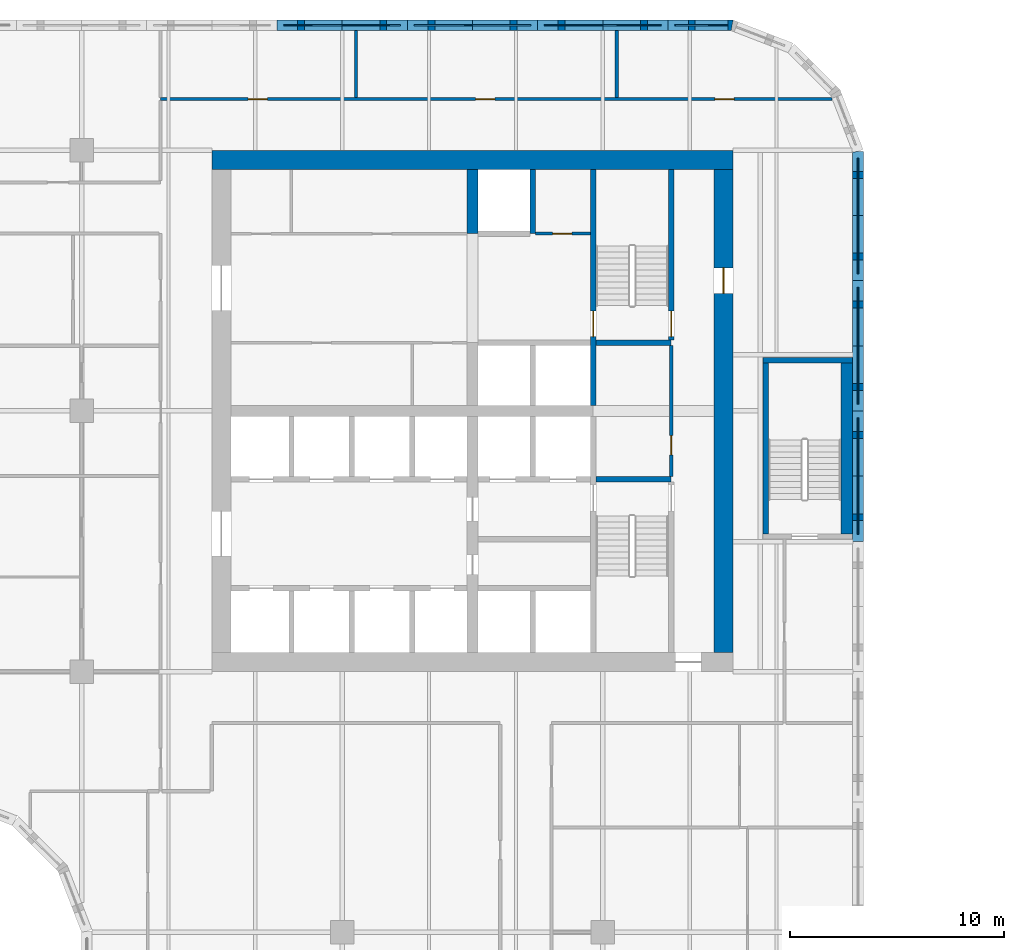
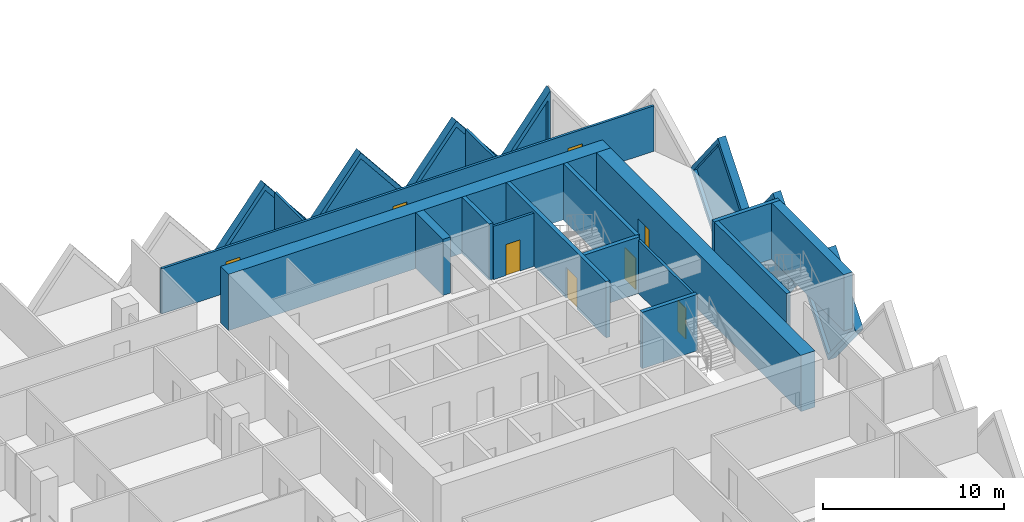
# One storey, part 10 of 20: 23 walls, 8 doors, 7 plates, 15 openings.
"""IFC4 building model written with IfcOpenShell, lengths in metres."""

import ifcopenshell
import ifcopenshell.guid

model = None  # the IFC model being written
_history = None  # IfcOwnerHistory: only IFC2X3 demands one
_inside = {}  # id of a spatial element -> (the spatial element, [elements in it])
_under = {}  # id of a project, library or spatial element -> (it, [spatial elements below it])
_declared = {}  # id of a project -> (the project, [libraries it declares])
_typed = {}  # id of a type object -> (the type object, [elements of that type])
_made_of = {}  # id of a material, layer set ... -> (it, [elements and type objects made of it])


def new_model(schema):
    """Start an empty IFC model of exactly this schema.

    Asked for "IFC4X3", IfcOpenShell would pick the latest addendum, in which some entities
    have other attributes; the version numbers below select the first issue.
    IFC2X3 requires an IfcOwnerHistory on every rooted entity: one is made here for all.
    """
    global model, _history
    if schema == "IFC4X3":
        model = ifcopenshell.file(schema_version=(4, 3, 0, 0))
    else:
        model = ifcopenshell.file(schema=schema)
    _inside.clear()
    _under.clear()
    _declared.clear()
    _typed.clear()
    _made_of.clear()
    _history = None
    if model.schema == "IFC2X3":
        org = make("IfcOrganization", Name="unknown")
        user = make(
            "IfcPersonAndOrganization",
            ThePerson=make("IfcPerson", FamilyName="unknown"),
            TheOrganization=org,
        )
        app = make(
            "IfcApplication",
            ApplicationDeveloper=org,
            Version="unknown",
            ApplicationFullName="unknown",
            ApplicationIdentifier="unknown",
        )
        _history = make(
            "IfcOwnerHistory",
            OwningUser=user,
            OwningApplication=app,
            ChangeAction="ADDED",
            CreationDate=0,
        )
    return model


def make(cls, **values):
    """One entity of the class cls with the attributes given. An attribute that is None is left unset."""
    return model.create_entity(
        cls, **{name: value for name, value in values.items() if value is not None}
    )


def rooted(cls, **values):
    """An entity with a GlobalId (a new one), such as an element, a storey or a relation."""
    return make(cls, GlobalId=ifcopenshell.guid.new(), OwnerHistory=_history, **values)


def si_unit(unit_type, name, prefix=None):
    """IfcSIUnit, for example si_unit("LENGTHUNIT", "METRE", prefix="MILLI")."""
    return make("IfcSIUnit", UnitType=unit_type, Prefix=prefix, Name=name)


def assignment(units):
    """IfcUnitAssignment: the units of a project."""
    return None if units is None else make("IfcUnitAssignment", Units=units)


def point(xyz):
    """IfcCartesianPoint."""
    return None if xyz is None else make("IfcCartesianPoint", Coordinates=xyz)


def direction(xyz):
    """IfcDirection."""
    return None if xyz is None else make("IfcDirection", DirectionRatios=xyz)


def frame(location, z_axis=None, x_axis=None):
    """IfcAxis2Placement3D, a coordinate frame: its origin and axes. An axis left out is left unset."""
    return make(
        "IfcAxis2Placement3D",
        Location=point(location),
        Axis=direction(z_axis),
        RefDirection=direction(x_axis),
    )


def frame_2d(location, x_axis=None):
    """IfcAxis2Placement2D, a coordinate frame in the plane: its origin and x axis."""
    return make(
        "IfcAxis2Placement2D", Location=point(location), RefDirection=direction(x_axis)
    )


def origin():
    """The frame at (0, 0, 0) with its axes left unset."""
    return frame((0.0, 0.0, 0.0))


def place(relative_to, where):
    """IfcLocalPlacement: puts the frame where relative to a parent placement (None: the world)."""
    return make(
        "IfcLocalPlacement", PlacementRelTo=relative_to, RelativePlacement=where
    )


def context(
    kind, dimensions, precision=None, world=None, true_north=None, identifier=None
):
    """IfcGeometricRepresentationContext, for example the 3D "Model" context."""
    return make(
        "IfcGeometricRepresentationContext",
        ContextIdentifier=identifier,
        ContextType=kind,
        CoordinateSpaceDimension=dimensions,
        Precision=precision,
        WorldCoordinateSystem=world,
        TrueNorth=true_north,
    )


def subcontext(parent, identifier, kind, view, scale=None):
    """IfcGeometricRepresentationSubContext, for example "Body" below "Model"."""
    return make(
        "IfcGeometricRepresentationSubContext",
        ContextIdentifier=identifier,
        ContextType=kind,
        ParentContext=parent,
        TargetScale=scale,
        TargetView=view,
    )


def project(units=None, contexts=None):
    """IfcProject with its units and contexts."""
    return rooted(
        "IfcProject",
        Name="project",
        RepresentationContexts=contexts,
        UnitsInContext=assignment(units),
    )


def spatial(cls, under=None, at=None, **own):
    """A site, building, storey or space (cls), placed at a placement, below another one or the project."""
    s = rooted(cls, ObjectPlacement=at, **own)
    if under is not None:
        _under.setdefault(under.id(), (under, []))[1].append(s)
    return s


def polyline(points):
    """IfcPolyline through the points."""
    return make("IfcPolyline", Points=[point(p) for p in points])


def profile(cls, at=None, kind="AREA", **sizes):
    """A parametric profile (cls). Its sizes go by their IFC names, for example OverallWidth=200.0."""
    return make(cls, ProfileType=kind, Position=at, **sizes)


def rectangle(**sizes):
    """IfcRectangleProfileDef."""
    return profile("IfcRectangleProfileDef", **sizes)


def outline(outer, holes=None, kind="AREA"):
    """IfcArbitraryClosedProfileDef: a profile drawn as a closed curve; with holes, ...WithVoids."""
    if holes is None:
        return make("IfcArbitraryClosedProfileDef", ProfileType=kind, OuterCurve=outer)
    return make(
        "IfcArbitraryProfileDefWithVoids",
        ProfileType=kind,
        OuterCurve=outer,
        InnerCurves=holes,
    )


def extrude(swept, where, along, depth):
    """IfcExtrudedAreaSolid: the profile swept, set in the frame where, extruded along a direction by depth."""
    return make(
        "IfcExtrudedAreaSolid",
        SweptArea=swept,
        Position=where,
        ExtrudedDirection=direction(along),
        Depth=depth,
    )


def faces_of(points, faces, orient=None, outer=None):
    """IfcFace entities. A face is a list of loops; a loop is a list of indices into points, from 0.

    orient and outer hold one flag for each loop. By default every Orientation is true, the
    first loop of a face is its IfcFaceOuterBound and the others are IfcFaceBound.
    """
    made = []
    for i, loops in enumerate(faces):
        bounds = []
        for j, loop in enumerate(loops):
            is_outer = j == 0 if outer is None else outer[i][j]
            bounds.append(
                make(
                    "IfcFaceOuterBound" if is_outer else "IfcFaceBound",
                    Bound=make("IfcPolyLoop", Polygon=[points[k] for k in loop]),
                    Orientation=True if orient is None else orient[i][j],
                )
            )
        made.append(make("IfcFace", Bounds=bounds))
    return made


def faceted_brep(points, faces, orient=None, outer=None, voids=None):
    """IfcFacetedBrep: a solid bounded by flat faces; with voids (closed shells), ...WithVoids."""
    shared = [point(p) for p in points]
    hull = make("IfcClosedShell", CfsFaces=faces_of(shared, faces, orient, outer))
    if voids is None:
        return make("IfcFacetedBrep", Outer=hull)
    return make(
        "IfcFacetedBrepWithVoids",
        Outer=hull,
        Voids=[
            make(cls, CfsFaces=faces_of(shared, fs, o, b)) for cls, fs, o, b in voids
        ],
    )


def shape(context_of_items, identifier, shape_type, items):
    """IfcShapeRepresentation: the items that make up one representation, for example the "Body"."""
    return make(
        "IfcShapeRepresentation",
        ContextOfItems=context_of_items,
        RepresentationIdentifier=identifier,
        RepresentationType=shape_type,
        Items=items,
    )


def source(mapping_origin, context_of_items, identifier, shape_type, items):
    """IfcRepresentationMap: a shape defined once, which mapped items show again and again."""
    return make(
        "IfcRepresentationMap",
        MappingOrigin=mapping_origin,
        MappedRepresentation=shape(context_of_items, identifier, shape_type, items),
    )


def transform(
    local_origin,
    x_axis=None,
    y_axis=None,
    z_axis=None,
    scale=None,
    scale2=None,
    scale3=None,
    uniform=True,
):
    """IfcCartesianTransformationOperator3D, or its non-uniform kind. x_axis, y_axis, z_axis: its Axis1, 2, 3."""
    if uniform:
        return make(
            "IfcCartesianTransformationOperator3D",
            Axis1=direction(x_axis),
            Axis2=direction(y_axis),
            LocalOrigin=point(local_origin),
            Scale=scale,
            Axis3=direction(z_axis),
        )
    return make(
        "IfcCartesianTransformationOperator3DnonUniform",
        Axis1=direction(x_axis),
        Axis2=direction(y_axis),
        LocalOrigin=point(local_origin),
        Scale=scale,
        Axis3=direction(z_axis),
        Scale2=scale2,
        Scale3=scale3,
    )


def mapped(mapping_source, mapping_target):
    """IfcMappedItem: shows the shape of a source again, moved by a transform."""
    return make(
        "IfcMappedItem", MappingSource=mapping_source, MappingTarget=mapping_target
    )


def material(Name=None, Category=None):
    """IfcMaterial."""
    return make("IfcMaterial", Name=Name, Category=Category)


def layer(
    of_material, thickness, ventilated=None, Name=None, Category=None, Priority=None
):
    """IfcMaterialLayer: one layer of a wall or slab, of a material (None: an air gap)."""
    return make(
        "IfcMaterialLayer",
        Material=of_material,
        LayerThickness=thickness,
        IsVentilated=ventilated,
        Name=Name,
        Category=Category,
        Priority=Priority,
    )


def layer_set(layers, Name=None):
    """IfcMaterialLayerSet."""
    return make("IfcMaterialLayerSet", MaterialLayers=layers, LayerSetName=Name)


def made_of(thing, what):
    """Note that an element or type object is made of a material, layer set ...; save() writes the relation."""
    if what is not None:
        _made_of.setdefault(what.id(), (what, []))[1].append(thing)
    return thing


def type_object(cls, material=None, **own):
    """A type object (cls), such as IfcWallType, which elements share."""
    return made_of(rooted(cls, **own), material)


def element(
    cls,
    number,
    at=None,
    inside=None,
    cuts=None,
    type_object=None,
    material=None,
    context=None,
    identifier="Body",
    shape_type=None,
    held_by="IfcProductDefinitionShape",
    body=None,
    shapes=None,
    **own,
):
    """One element of the class cls, such as IfcWall. Its Tag is "e" and its number.

    at: its placement. inside: the storey or other place that contains it. cuts: it is an
    opening in that element (IfcRelVoidsElement). A single representation is given by context,
    identifier, shape_type and body (its items); several are given by shapes. held_by: the class
    of the entity that holds the representations. save() writes the other relations.
    """
    e = rooted(cls, Tag="e%d" % number, ObjectPlacement=at, **own)
    if body is not None:
        shapes = [shape(context, identifier, shape_type, body)]
    if shapes is not None:
        e.Representation = make(held_by, Representations=shapes)
    if inside is not None:
        _inside.setdefault(inside.id(), (inside, []))[1].append(e)
    if cuts is not None:
        rooted(
            "IfcRelVoidsElement", RelatingBuildingElement=cuts, RelatedOpeningElement=e
        )
    if type_object is not None:
        _typed.setdefault(type_object.id(), (type_object, []))[1].append(e)
    return made_of(e, material)


def fill(opening, filler):
    """IfcRelFillsElement: the door or window that sits in an opening."""
    return rooted(
        "IfcRelFillsElement",
        RelatingOpeningElement=opening,
        RelatedBuildingElement=filler,
    )


def aggregate(whole, parts):
    """IfcRelAggregates: a whole, such as a stair, and the parts it consists of."""
    return rooted("IfcRelAggregates", RelatingObject=whole, RelatedObjects=parts)


def save(model, path):
    """Write the relations noted so far, then the file.

    IfcRelAggregates (storeys below a building ...), IfcRelContainedInSpatialStructure (elements
    in a storey), IfcRelDefinesByType, IfcRelAssociatesMaterial and IfcRelDeclares: one each for
    every whole, place, type object, material and project.
    """
    for whole, parts in _under.values():
        aggregate(whole, parts)
    for where, things in _inside.values():
        rooted(
            "IfcRelContainedInSpatialStructure",
            RelatedElements=things,
            RelatingStructure=where,
        )
    for kind, things in _typed.values():
        rooted("IfcRelDefinesByType", RelatedObjects=things, RelatingType=kind)
    for what, things in _made_of.values():
        rooted("IfcRelAssociatesMaterial", RelatedObjects=things, RelatingMaterial=what)
    for by, libraries in _declared.values():
        rooted("IfcRelDeclares", RelatingContext=by, RelatedDefinitions=libraries)
    model.write(path)


model = new_model("IFC4")

# Units and contexts
model_context = context("Model", 3, precision=1e-05, world=origin(), true_north=direction((0.0, 1.0)))
body_context = subcontext(model_context, "Body", "Model", "MODEL_VIEW")
ifc_project = project(units=[si_unit("LENGTHUNIT", "METRE"), si_unit("AREAUNIT", "SQUARE_METRE"), si_unit("VOLUMEUNIT", "CUBIC_METRE"), si_unit("PLANEANGLEUNIT", "RADIAN"), si_unit("MASSUNIT", "GRAM", prefix="KILO")], contexts=[model_context])

# Site, building, storey
site_placement = place(None, origin())
site = spatial("IfcSite", under=ifc_project, at=site_placement, CompositionType="ELEMENT")
building_placement = place(site_placement, origin())
building = spatial("IfcBuilding", under=site, at=building_placement, Name="Tessera Gate Towers", CompositionType="ELEMENT")
storey_placement = place(building_placement, frame((0.0, 0.0, 48.60009765625)))
storey = spatial("IfcBuildingStorey", under=building, at=storey_placement, Name="L11", CompositionType="ELEMENT", Elevation=48.60009765625)

# Wall, opening, door
ifc_material_1 = material(Name="Concrete C40/50", Category="concrete")
ifc_layer_1 = layer(ifc_material_1, 0.25)
ifc_layer_set_1 = layer_set([ifc_layer_1], Name="CORE ENCLOSURE WALL 250")
wall_type_1 = type_object("IfcWallType", Name="CORE ENCLOSURE WALL 250", PredefinedType="SOLIDWALL", material=ifc_layer_set_1)
wall_1_placement = place(storey_placement, frame((48.35009765625, 47.89990234375, 0.0), z_axis=(0.0, 0.0, 1.0), x_axis=(0.0, -1.0, 0.0)))
wall_1 = element("IfcWall", 1, at=wall_1_placement, inside=storey, type_object=wall_type_1, Name="L11 shaft and stair enclosure wall", PredefinedType="SOLIDWALL", context=body_context, shape_type="SweptSolid", body=[
    extrude(rectangle(XDim=11.0498046875, YDim=0.25, at=frame_2d((5.52490234375, 0.0))), origin(), (0.0, 0.0, 1.0), 3.7998046875),
])
shared_shape_1 = source(origin(), body_context, "Body", "SweptSolid", [
    extrude(rectangle(XDim=1.199951171875, YDim=2.10009765625, at=frame_2d((0.60009765625, 1.050048828125))), frame((0.0, 0.135009765625, 0.0), z_axis=(0.0, -1.0, 0.0), x_axis=(1.0, 0.0, 0.0)), (0.0, 0.0, 1.0), 0.27001953125),
])
opening_1_placement = place(wall_1_placement, frame((6.625, 0.0, 0.0)))
opening_1 = element("IfcOpeningElement", 2, at=opening_1_placement, cuts=wall_1, Name="Opening SD-ST2-1", PredefinedType="OPENING", context=body_context, shape_type="MappedRepresentation", body=[
    mapped(shared_shape_1, transform((0.0, 0.0, 0.0), scale=1.0)),
])
ifc_material_2 = material(Name="Hollow steel fire door", Category="steel")
door_type_1 = type_object("IfcDoorType", Name="CORE DOOR SD 1200x2100", OperationType="NOTDEFINED", PredefinedType="DOOR", material=ifc_material_2)
shared_shape_2 = source(origin(), body_context, "Body", "SweptSolid", [
    extrude(rectangle(XDim=1.199951171875, YDim=2.10009765625, at=frame_2d((0.60009765625, 1.050048828125))), frame((0.0, 0.02490234375, 0.0), z_axis=(0.0, -1.0, 0.0), x_axis=(1.0, 0.0, 0.0)), (0.0, 0.0, 1.0), 0.050048828125),
])
door_1_placement = place(opening_1_placement, origin())
door_1 = element("IfcDoor", 3, at=door_1_placement, inside=storey, type_object=door_type_1, Name="Stair door", OperationType="SINGLE_SWING_RIGHT", OverallHeight=2.10009765625, OverallWidth=1.199951171875, PredefinedType="DOOR", context=body_context, shape_type="MappedRepresentation", body=[
    mapped(shared_shape_2, transform((0.0, 0.0, 0.0), scale=1.0)),
])
fill(opening_1, door_1)

# Walls
for number, where, z_axis, x_axis, name in (
    (4, (48.47509765625, 33.39990234375, 0.0), (0.0, 0.0, 1.0), (1.0, 0.0, 0.0), "L11 shaft and stair enclosure wall"),
    (5, (48.47509765625, 39.800048828125, 0.0), (0.0, 0.0, 1.0), (1.0, 0.0, 0.0), "L11 shaft and stair enclosure wall"),
):
    element("IfcWall", number, at=place(storey_placement, frame(where, z_axis=z_axis, x_axis=x_axis)), inside=storey, type_object=wall_type_1, Name=name, PredefinedType="SOLIDWALL", context=body_context, shape_type="SweptSolid", body=[
        extrude(rectangle(XDim=3.52490234375, YDim=0.25, at=frame_2d((1.762451171875, 0.0))), origin(), (0.0, 0.0, 1.0), 3.7998046875),
    ])

# Wall, opening, door
wall_2_placement = place(storey_placement, frame((52.0, 39.925048828125, 0.0), z_axis=(0.0, 0.0, 1.0), x_axis=(0.0, 1.0, 0.0)))
wall_2 = element("IfcWall", 6, at=wall_2_placement, inside=storey, type_object=wall_type_1, Name="L11 shaft and stair enclosure wall", PredefinedType="SOLIDWALL", context=body_context, shape_type="SweptSolid", body=[
    extrude(rectangle(XDim=7.974853515625, YDim=0.25, at=frame_2d((3.9873046875, 0.0))), origin(), (0.0, 0.0, 1.0), 3.7998046875),
])
opening_2_placement = place(wall_2_placement, frame((0.14990234375, 0.0, 0.0)))
opening_2 = element("IfcOpeningElement", 7, at=opening_2_placement, cuts=wall_2, Name="Opening SD-ST2-2", PredefinedType="OPENING", context=body_context, shape_type="MappedRepresentation", body=[
    mapped(shared_shape_1, transform((0.0, 0.0, 0.0), scale=1.0)),
])
door_2_placement = place(opening_2_placement, origin())
door_2 = element("IfcDoor", 8, at=door_2_placement, inside=storey, type_object=door_type_1, Name="Stair door", OperationType="SINGLE_SWING_LEFT", OverallHeight=2.10009765625, OverallWidth=1.199951171875, PredefinedType="DOOR", context=body_context, shape_type="MappedRepresentation", body=[
    mapped(shared_shape_2, transform((0.0, 0.0, 0.0), scale=1.0)),
])
fill(opening_2, door_2)

# Walls
wall_3_placement = place(storey_placement, frame((45.52490234375, 44.89990234375, 0.0), z_axis=(0.0, 0.0, 1.0), x_axis=(0.0, 1.0, 0.0)))
element("IfcWall", 9, at=wall_3_placement, inside=storey, type_object=wall_type_1, Name="L11 shaft and stair enclosure wall", PredefinedType="SOLIDWALL", context=body_context, shape_type="SweptSolid", body=[
    extrude(rectangle(XDim=3.0, YDim=0.25, at=frame_2d((1.5, 0.0))), origin(), (0.0, 0.0, 1.0), 3.7998046875),
])
wall_4_placement = place(storey_placement, frame((56.425048828125, 30.85009765625, 0.0), z_axis=(0.0, 0.0, 1.0), x_axis=(0.0, 1.0, 0.0)))
element("IfcWall", 10, at=wall_4_placement, inside=storey, type_object=wall_type_1, Name="L11 ST5 enclosure wall", PredefinedType="SOLIDWALL", context=body_context, shape_type="SweptSolid", body=[
    extrude(rectangle(XDim=8.0, YDim=0.25, at=frame_2d((4.0, 0.0))), origin(), (0.0, 0.0, 1.0), 3.7998046875),
])
wall_5_placement = place(storey_placement, frame((56.300048828125, 38.97509765625, 0.0), z_axis=(0.0, 0.0, 1.0), x_axis=(1.0, 0.0, 0.0)))
element("IfcWall", 11, at=wall_5_placement, inside=storey, type_object=wall_type_1, Name="L11 ST5 enclosure wall", PredefinedType="SOLIDWALL", context=body_context, shape_type="SweptSolid", body=[
    extrude(rectangle(XDim=4.199951171875, YDim=0.25, at=frame_2d((2.10009765625, 0.0))), origin(), (0.0, 0.0, 1.0), 3.7998046875),
])
ifc_material_3 = material(Name="Concrete C40/50", Category="concrete")
ifc_layer_2 = layer(ifc_material_3, 0.550048828125)
ifc_layer_set_2 = layer_set([ifc_layer_2], Name="CORE ENCLOSURE WALL 550")
wall_type_2 = type_object("IfcWallType", Name="CORE ENCLOSURE WALL 550", PredefinedType="SOLIDWALL", material=ifc_layer_set_2)
wall_6_placement = place(storey_placement, frame((60.22509765625, 38.85009765625, 0.0), z_axis=(0.0, 0.0, 1.0), x_axis=(0.0, -1.0, 0.0)))
element("IfcWall", 12, at=wall_6_placement, inside=storey, type_object=wall_type_2, Name="L11 ST5 enclosure wall", PredefinedType="SOLIDWALL", context=body_context, shape_type="SweptSolid", body=[
    extrude(rectangle(XDim=8.0, YDim=0.550048828125, at=frame_2d((4.0, 0.0))), origin(), (0.0, 0.0, 1.0), 3.7998046875),
])
ifc_material_4 = material(Name="Concrete C70/85", Category="concrete")
ifc_layer_3 = layer(ifc_material_4, 0.89990234375)
ifc_layer_set_3 = layer_set([ifc_layer_3], Name="CORE SHEAR WALL 900 C70/85")
wall_type_3 = type_object("IfcWallType", Name="CORE SHEAR WALL 900 C70/85", PredefinedType="SHEAR", material=ifc_layer_set_3)
wall_7_placement = place(storey_placement, frame((30.5, 48.35009765625, 0.0), z_axis=(0.0, 0.0, 1.0), x_axis=(1.0, 0.0, 0.0)))
element("IfcWall", 13, at=wall_7_placement, inside=storey, type_object=wall_type_3, Name="Core wall N L11", PredefinedType="SHEAR", context=body_context, shape_type="SweptSolid", body=[
    extrude(rectangle(XDim=24.39990234375, YDim=0.89990234375, at=frame_2d((12.199951171875, 0.0))), origin(), (0.0, 0.0, 1.0), 3.7998046875),
])

# Wall, opening, door
wall_8_placement = place(storey_placement, frame((54.449951171875, 47.89990234375, 0.0), z_axis=(0.0, 0.0, 1.0), x_axis=(0.0, -1.0, 0.0)))
wall_8 = element("IfcWall", 14, at=wall_8_placement, inside=storey, type_object=wall_type_3, Name="Core wall E L11", PredefinedType="SHEAR", context=body_context, shape_type="SweptSolid", body=[
    extrude(rectangle(XDim=22.599853515625, YDim=0.89990234375, at=frame_2d((11.2998046875, 0.0))), origin(), (0.0, 0.0, 1.0), 3.7998046875),
])
shared_shape_3 = source(origin(), body_context, "Body", "SweptSolid", [
    extrude(rectangle(XDim=1.199951171875, YDim=2.10009765625, at=frame_2d((0.60009765625, 1.050048828125))), frame((0.0, 0.4599609375, 0.0), z_axis=(0.0, -1.0, 0.0), x_axis=(1.0, 0.0, 0.0)), (0.0, 0.0, 1.0), 0.919921875),
])
opening_3_placement = place(wall_8_placement, frame((4.60009765625, 0.0, 0.0)))
opening_3 = element("IfcOpeningElement", 15, at=opening_3_placement, cuts=wall_8, Name="Opening ED-T1-08-04", PredefinedType="OPENING", context=body_context, shape_type="MappedRepresentation", body=[
    mapped(shared_shape_3, transform((0.0, 0.0, 0.0), scale=1.0)),
])
ifc_material_5 = material(Name="Hollow steel fire door", Category="steel")
door_type_2 = type_object("IfcDoorType", Name="CORE DOOR ED 1200x2100", OperationType="NOTDEFINED", PredefinedType="DOOR", material=ifc_material_5)
door_3_placement = place(opening_3_placement, origin())
door_3 = element("IfcDoor", 16, at=door_3_placement, inside=storey, type_object=door_type_2, Name="Core exit door", OperationType="SINGLE_SWING_LEFT", OverallHeight=2.10009765625, OverallWidth=1.199951171875, PredefinedType="DOOR", context=body_context, shape_type="MappedRepresentation", body=[
    mapped(shared_shape_2, transform((0.0, 0.0, 0.0), scale=1.0)),
])
fill(opening_3, door_3)

# Wall
ifc_material_6 = material(Name="Concrete C70/85", Category="concrete")
ifc_layer_4 = layer(ifc_material_6, 0.5)
ifc_layer_set_4 = layer_set([ifc_layer_4], Name="CORE SPINE WALL 500 C70/85")
wall_type_4 = type_object("IfcWallType", Name="CORE SPINE WALL 500 C70/85", PredefinedType="SHEAR", material=ifc_layer_set_4)
wall_9_placement = place(storey_placement, frame((42.699951171875, 44.89990234375, 0.0), z_axis=(0.0, 0.0, 1.0), x_axis=(0.0, 1.0, 0.0)))
element("IfcWall", 17, at=wall_9_placement, inside=storey, type_object=wall_type_4, Name="Core wall spine L11", PredefinedType="SHEAR", context=body_context, shape_type="SweptSolid", body=[
    extrude(rectangle(XDim=3.0, YDim=0.5, at=frame_2d((1.5, 0.0))), origin(), (0.0, 0.0, 1.0), 3.7998046875),
])

# Wall, openings, doors
ifc_material_7 = material(Name="Gypsum board on steel studs, mineral wool", Category="steel")
ifc_layer_5 = layer(ifc_material_7, 0.14990234375)
ifc_layer_set_5 = layer_set([ifc_layer_5], Name="CORRIDOR WALL 150")
wall_type_5 = type_object("IfcWallType", Name="CORRIDOR WALL 150", PredefinedType="PARTITIONING", material=ifc_layer_set_5)
wall_10_placement = place(storey_placement, frame((28.10009765625, 51.199951171875, 0.0), z_axis=(0.0, 0.0, 1.0), x_axis=(1.0, 0.0, 0.0)))
wall_10 = element("IfcWall", 18, at=wall_10_placement, inside=storey, type_object=wall_type_5, Name="T1-L11-PW-054", PredefinedType="PARTITIONING", context=body_context, shape_type="SweptSolid", body=[
    extrude(rectangle(XDim=31.438232421875, YDim=0.14990234375, at=frame_2d((15.71923828125, 0.0))), origin(), (0.0, 0.0, 1.0), 3.06689453125),
])
shared_shape_4 = source(origin(), body_context, "Body", "SweptSolid", [
    extrude(rectangle(XDim=0.89990234375, YDim=2.10009765625, at=frame_2d((0.449951171875, 1.050048828125))), frame((0.0, 0.0849609375, 0.0), z_axis=(0.0, -1.0, 0.0), x_axis=(1.0, 0.0, 0.0)), (0.0, 0.0, 1.0), 0.169921875),
])
opening_4_placement = place(wall_10_placement, frame((4.10009765625, 0.0, 0.0)))
opening_4 = element("IfcOpeningElement", 19, at=opening_4_placement, cuts=wall_10, Name="Opening D890FD60-A04-03", PredefinedType="OPENING", context=body_context, shape_type="MappedRepresentation", body=[
    mapped(shared_shape_4, transform((0.0, 0.0, 0.0), scale=1.0)),
])
opening_5_placement = place(wall_10_placement, frame((25.950927734375, 0.0, 0.0)))
opening_5 = element("IfcOpeningElement", 20, at=opening_5_placement, cuts=wall_10, Name="Opening D890FD60-A04-04", PredefinedType="OPENING", context=body_context, shape_type="MappedRepresentation", body=[
    mapped(shared_shape_4, transform((0.0, 0.0, 0.0), scale=1.0)),
])
opening_6_placement = place(wall_10_placement, frame((14.75, 0.0, 0.0)))
opening_6 = element("IfcOpeningElement", 21, at=opening_6_placement, cuts=wall_10, Name="Opening D890FD60-A04-06", PredefinedType="OPENING", context=body_context, shape_type="MappedRepresentation", body=[
    mapped(shared_shape_4, transform((0.0, 0.0, 0.0), scale=1.0)),
])
ifc_material_8 = material(Name="Timber door leaf in steel frame", Category="steel")
door_type_3 = type_object("IfcDoorType", Name="CORRIDOR DOOR 900 FD60", OperationType="NOTDEFINED", PredefinedType="DOOR", material=ifc_material_8)
shared_shape_5 = source(origin(), body_context, "Body", "SweptSolid", [
    extrude(rectangle(XDim=0.89990234375, YDim=2.10009765625, at=frame_2d((0.449951171875, 1.050048828125))), frame((0.0, 0.02490234375, 0.0), z_axis=(0.0, -1.0, 0.0), x_axis=(1.0, 0.0, 0.0)), (0.0, 0.0, 1.0), 0.050048828125),
])
door_4_placement = place(opening_4_placement, origin())
door_4 = element("IfcDoor", 22, at=door_4_placement, inside=storey, type_object=door_type_3, Name="T1-L11-PD-023", OperationType="SINGLE_SWING_LEFT", OverallHeight=2.10009765625, OverallWidth=0.89990234375, PredefinedType="DOOR", context=body_context, shape_type="MappedRepresentation", body=[
    mapped(shared_shape_5, transform((0.0, 0.0, 0.0), scale=1.0)),
])
fill(opening_4, door_4)
door_5_placement = place(opening_5_placement, origin())
door_5 = element("IfcDoor", 23, at=door_5_placement, inside=storey, type_object=door_type_3, Name="T1-L11-PD-025", OperationType="SINGLE_SWING_LEFT", OverallHeight=2.10009765625, OverallWidth=0.89990234375, PredefinedType="DOOR", context=body_context, shape_type="MappedRepresentation", body=[
    mapped(shared_shape_5, transform((0.0, 0.0, 0.0), scale=1.0)),
])
fill(opening_5, door_5)
door_6_placement = place(opening_6_placement, origin())
door_6 = element("IfcDoor", 24, at=door_6_placement, inside=storey, type_object=door_type_3, Name="T1-L11-PD-028", OperationType="SINGLE_SWING_LEFT", OverallHeight=2.10009765625, OverallWidth=0.89990234375, PredefinedType="DOOR", context=body_context, shape_type="MappedRepresentation", body=[
    mapped(shared_shape_5, transform((0.0, 0.0, 0.0), scale=1.0)),
])
fill(opening_6, door_6)

# Wall, opening, door
ifc_material_9 = material(Name="Gypsum board on steel studs", Category="steel")
ifc_layer_6 = layer(ifc_material_9, 0.14990234375)
ifc_layer_set_6 = layer_set([ifc_layer_6], Name="SERVICE ROOM WALL 150")
wall_type_6 = type_object("IfcWallType", Name="SERVICE ROOM WALL 150", PredefinedType="PARTITIONING", material=ifc_layer_set_6)
wall_11_placement = place(storey_placement, frame((52.0, 33.52490234375, 0.0), z_axis=(0.0, 0.0, 1.0), x_axis=(0.0, 1.0, 0.0)))
wall_11 = element("IfcWall", 25, at=wall_11_placement, inside=storey, type_object=wall_type_6, Name="L11 service room wall", PredefinedType="PARTITIONING", context=body_context, shape_type="SweptSolid", body=[
    extrude(rectangle(XDim=6.150146484375, YDim=0.14990234375, at=frame_2d((3.0751953125, 0.0))), origin(), (0.0, 0.0, 1.0), 3.599853515625),
])
opening_7_placement = place(wall_11_placement, frame((1.02490234375, 0.0, 0.0)))
opening_7 = element("IfcOpeningElement", 26, at=opening_7_placement, cuts=wall_11, Name="Opening RD-T1-08-11", PredefinedType="OPENING", context=body_context, shape_type="MappedRepresentation", body=[
    mapped(shared_shape_4, transform((0.0, 0.0, 0.0), scale=1.0)),
])
ifc_material_10 = material(Name="Hollow steel fire door", Category="steel")
door_type_4 = type_object("IfcDoorType", Name="CORE DOOR RD 900x2100", OperationType="NOTDEFINED", PredefinedType="DOOR", material=ifc_material_10)
door_7_placement = place(opening_7_placement, origin())
door_7 = element("IfcDoor", 27, at=door_7_placement, inside=storey, type_object=door_type_4, Name="Core room door", OperationType="SINGLE_SWING_LEFT", OverallHeight=2.10009765625, OverallWidth=0.89990234375, PredefinedType="DOOR", context=body_context, shape_type="MappedRepresentation", body=[
    mapped(shared_shape_5, transform((0.0, 0.0, 0.0), scale=1.0)),
])
fill(opening_7, door_7)

wall_12_placement = place(storey_placement, frame((45.64990234375, 44.89990234375, 0.0), z_axis=(0.0, 0.0, 1.0), x_axis=(1.0, 0.0, 0.0)))
wall_12 = element("IfcWall", 28, at=wall_12_placement, inside=storey, type_object=wall_type_6, Name="L11 service room wall", PredefinedType="PARTITIONING", context=body_context, shape_type="SweptSolid", body=[
    extrude(rectangle(XDim=2.5751953125, YDim=0.14990234375, at=frame_2d((1.28759765625, 0.0))), origin(), (0.0, 0.0, 1.0), 3.599853515625),
])
opening_8_placement = place(wall_12_placement, frame((0.800048828125, 0.0, 0.0)))
opening_8 = element("IfcOpeningElement", 29, at=opening_8_placement, cuts=wall_12, Name="Opening RD-T1-08-12", PredefinedType="OPENING", context=body_context, shape_type="MappedRepresentation", body=[
    mapped(shared_shape_4, transform((0.0, 0.0, 0.0), scale=1.0)),
])
door_8_placement = place(opening_8_placement, origin())
door_8 = element("IfcDoor", 30, at=door_8_placement, inside=storey, type_object=door_type_4, Name="Core room door", OperationType="SINGLE_SWING_LEFT", OverallHeight=2.10009765625, OverallWidth=0.89990234375, PredefinedType="DOOR", context=body_context, shape_type="MappedRepresentation", body=[
    mapped(shared_shape_5, transform((0.0, 0.0, 0.0), scale=1.0)),
])
fill(opening_8, door_8)

# Walls
ifc_material_11 = material(Name="Gypsum board on steel studs, mineral wool", Category="steel")
ifc_layer_7 = layer(ifc_material_11, 0.14990234375)
ifc_layer_set_7 = layer_set([ifc_layer_7], Name="TENANCY WALL 150")
wall_type_7 = type_object("IfcWallType", Name="TENANCY WALL 150", PredefinedType="PARTITIONING", material=ifc_layer_set_7)
for number, where, z_axis, x_axis, name in (
    (31, (37.25, 51.27587890625, 0.0), (0.0, 0.0, 1.0), (0.0, 1.0, 0.0), "T1-L11-PW-056"),
    (32, (49.449951171875, 51.27587890625, 0.0), (0.0, 0.0, 1.0), (0.0, 1.0, 0.0), "T1-L11-PW-057"),
):
    element("IfcWall", number, at=place(storey_placement, frame(where, z_axis=z_axis, x_axis=x_axis)), inside=storey, type_object=wall_type_7, Name=name, PredefinedType="PARTITIONING", context=body_context, shape_type="SweptSolid", body=[
        extrude(rectangle(XDim=3.1240234375, YDim=0.14990234375, at=frame_2d((1.56201171875, 0.0))), origin(), (0.0, 0.0, 1.0), 3.06689453125),
    ])

# Wall, opening, plate
ifc_material_12 = material(Name="Precast concrete C60/75 white", Category="concrete")
ifc_layer_8 = layer(ifc_material_12, 0.5)
ifc_layer_set_8 = layer_set([ifc_layer_8], Name="TS1 tessera")
wall_type_8 = type_object("IfcWallType", Name="TS1 tessera", PredefinedType="SOLIDWALL", material=ifc_layer_set_8)
shared_shape_6 = source(origin(), body_context, "Body", "Brep", [
    faceted_brep([(3.050048828125, -0.25, 0.0), (6.099853515625, -0.25, 3.7998046875), (6.099853515625, -0.25, 3.80029296875), (3.050048828125, -0.25, 7.599853515625), (0.0, -0.25, 3.800048828125), (0.0, 0.25, 3.800048828125), (3.050048828125, 0.25, 7.599853515625), (6.099853515625, 0.25, 3.80029296875), (6.099853515625, 0.25, 3.7998046875), (3.050048828125, 0.25, 0.0)], [[[0, 1, 2, 3, 4]], [[5, 6, 7, 8, 9]], [[9, 8, 1, 0]], [[7, 6, 3, 2]], [[6, 5, 4, 3]], [[5, 9, 0, 4]], [[1, 8, 7, 2]]]),
])
wall_13_placement = place(storey_placement, frame((60.75, 36.60009765625, -3.800048828125), z_axis=(0.0, 0.0, 1.0), x_axis=(0.0, 1.0, 0.0)))
wall_13 = element("IfcWall", 33, at=wall_13_placement, inside=storey, type_object=wall_type_8, Name="Precast tessera T1 TS1-0146", PredefinedType="SOLIDWALL", context=body_context, shape_type="MappedRepresentation", body=[
    mapped(shared_shape_6, transform((0.0, 0.0, 0.0), scale=1.0)),
])
shared_shape_7 = source(origin(), body_context, "Body", "SweptSolid", [
    extrude(outline(polyline([(3.050048828125, 0.3994140625), (5.779541015625, 3.800048828125), (3.050048828125, 7.200439453125), (0.320556640625, 3.800048828125), (3.050048828125, 0.3994140625)])), frame((0.0, 0.260009765625, 0.0), z_axis=(0.0, -1.0, 0.0), x_axis=(1.0, 0.0, 0.0)), (0.0, 0.0, 1.0), 0.52001953125),
])
opening_9_placement = place(wall_13_placement, origin())
opening_9 = element("IfcOpeningElement", 34, at=opening_9_placement, cuts=wall_13, Name="Opening T1-PL2-0296", PredefinedType="OPENING", context=body_context, shape_type="MappedRepresentation", body=[
    mapped(shared_shape_7, transform((0.0, 0.0, 0.0), scale=1.0)),
])
ifc_material_13 = material(Name="Low-e laminated glass", Category="glass")
ifc_layer_9 = layer(ifc_material_13, 0.06005859375)
ifc_layer_set_9 = layer_set([ifc_layer_9], Name="PL2 rhombic pane")
plate_type = type_object("IfcPlateType", Name="PL2 rhombic pane", PredefinedType="SHEET", material=ifc_layer_set_9)
shared_shape_8 = source(origin(), body_context, "Body", "SweptSolid", [
    extrude(outline(polyline([(3.050048828125, 0.3994140625), (5.779541015625, 3.800048828125), (3.050048828125, 7.200439453125), (0.320556640625, 3.800048828125), (3.050048828125, 0.3994140625)])), frame((0.0, 0.030029296875, 0.0), z_axis=(0.0, -1.0, 0.0), x_axis=(1.0, 0.0, 0.0)), (0.0, 0.0, 1.0), 0.06005859375),
])
plate_1_placement = place(opening_9_placement, origin())
plate_1 = element("IfcPlate", 35, at=plate_1_placement, inside=storey, type_object=plate_type, Name="Glass pane T1 PL2-0296", PredefinedType="SHEET", context=body_context, shape_type="MappedRepresentation", body=[
    mapped(shared_shape_8, transform((0.0, 0.0, 0.0), scale=1.0)),
])
fill(opening_9, plate_1)

wall_14_placement = place(storey_placement, frame((39.64990234375, 54.64990234375, -3.800048828125), z_axis=(0.0, 0.0, 1.0), x_axis=(-1.0, 0.0, 0.0)))
wall_14 = element("IfcWall", 36, at=wall_14_placement, inside=storey, type_object=wall_type_8, Name="Precast tessera T1 TS1-0150", PredefinedType="SOLIDWALL", context=body_context, shape_type="MappedRepresentation", body=[
    mapped(shared_shape_6, transform((0.0, 0.0, 0.0), scale=1.0)),
])
opening_10_placement = place(wall_14_placement, origin())
opening_10 = element("IfcOpeningElement", 37, at=opening_10_placement, cuts=wall_14, Name="Opening T1-PL2-0304", PredefinedType="OPENING", context=body_context, shape_type="MappedRepresentation", body=[
    mapped(shared_shape_7, transform((0.0, 0.0, 0.0), scale=1.0)),
])
plate_2_placement = place(opening_10_placement, origin())
plate_2 = element("IfcPlate", 38, at=plate_2_placement, inside=storey, type_object=plate_type, Name="Glass pane T1 PL2-0304", PredefinedType="SHEET", context=body_context, shape_type="MappedRepresentation", body=[
    mapped(shared_shape_8, transform((0.0, 0.0, 0.0), scale=1.0)),
])
fill(opening_10, plate_2)

shared_shape_9 = source(origin(), body_context, "Body", "SweptSolid", [
    extrude(outline(polyline([(3.050048828125, 0.0), (6.10009765625, 3.800048828125), (3.050048828125, 7.599853515625), (0.0, 3.800048828125), (3.050048828125, 0.0)])), frame((0.0, 0.25, 0.0), z_axis=(0.0, -1.0, 0.0), x_axis=(1.0, 0.0, 0.0)), (0.0, 0.0, 1.0), 0.5),
])
wall_15_placement = place(storey_placement, frame((60.75, 30.5, -3.800048828125), z_axis=(0.0, 0.0, 1.0), x_axis=(0.0, 1.0, 0.0)))
wall_15 = element("IfcWall", 39, at=wall_15_placement, inside=storey, type_object=wall_type_8, Name="Precast tessera T1 TS1-0145", PredefinedType="SOLIDWALL", context=body_context, shape_type="MappedRepresentation", body=[
    mapped(shared_shape_9, transform((0.0, 0.0, 0.0), scale=1.0)),
])
opening_11_placement = place(wall_15_placement, origin())
opening_11 = element("IfcOpeningElement", 40, at=opening_11_placement, cuts=wall_15, Name="Opening T1-PL2-0295", PredefinedType="OPENING", context=body_context, shape_type="MappedRepresentation", body=[
    mapped(shared_shape_7, transform((0.0, 0.0, 0.0), scale=1.0)),
])
plate_3_placement = place(opening_11_placement, origin())
plate_3 = element("IfcPlate", 41, at=plate_3_placement, inside=storey, type_object=plate_type, Name="Glass pane T1 PL2-0295", PredefinedType="SHEET", context=body_context, shape_type="MappedRepresentation", body=[
    mapped(shared_shape_8, transform((0.0, 0.0, 0.0), scale=1.0)),
])
fill(opening_11, plate_3)

wall_16_placement = place(storey_placement, frame((51.85009765625, 54.64990234375, -3.800048828125), z_axis=(0.0, 0.0, 1.0), x_axis=(-1.0, 0.0, 0.0)))
wall_16 = element("IfcWall", 42, at=wall_16_placement, inside=storey, type_object=wall_type_8, Name="Precast tessera T1 TS1-0148", PredefinedType="SOLIDWALL", context=body_context, shape_type="MappedRepresentation", body=[
    mapped(shared_shape_9, transform((0.0, 0.0, 0.0), scale=1.0)),
])
opening_12_placement = place(wall_16_placement, origin())
opening_12 = element("IfcOpeningElement", 43, at=opening_12_placement, cuts=wall_16, Name="Opening T1-PL2-0302", PredefinedType="OPENING", context=body_context, shape_type="MappedRepresentation", body=[
    mapped(shared_shape_7, transform((0.0, 0.0, 0.0), scale=1.0)),
])
plate_4_placement = place(opening_12_placement, origin())
plate_4 = element("IfcPlate", 44, at=plate_4_placement, inside=storey, type_object=plate_type, Name="Glass pane T1 PL2-0302", PredefinedType="SHEET", context=body_context, shape_type="MappedRepresentation", body=[
    mapped(shared_shape_8, transform((0.0, 0.0, 0.0), scale=1.0)),
])
fill(opening_12, plate_4)

wall_17_placement = place(storey_placement, frame((45.75, 54.64990234375, -3.800048828125), z_axis=(0.0, 0.0, 1.0), x_axis=(-1.0, 0.0, 0.0)))
wall_17 = element("IfcWall", 45, at=wall_17_placement, inside=storey, type_object=wall_type_8, Name="Precast tessera T1 TS1-0149", PredefinedType="SOLIDWALL", context=body_context, shape_type="MappedRepresentation", body=[
    mapped(shared_shape_9, transform((0.0, 0.0, 0.0), scale=1.0)),
])
opening_13_placement = place(wall_17_placement, origin())
opening_13 = element("IfcOpeningElement", 46, at=opening_13_placement, cuts=wall_17, Name="Opening T1-PL2-0303", PredefinedType="OPENING", context=body_context, shape_type="MappedRepresentation", body=[
    mapped(shared_shape_7, transform((0.0, 0.0, 0.0), scale=1.0)),
])
plate_5_placement = place(opening_13_placement, origin())
plate_5 = element("IfcPlate", 47, at=plate_5_placement, inside=storey, type_object=plate_type, Name="Glass pane T1 PL2-0303", PredefinedType="SHEET", context=body_context, shape_type="MappedRepresentation", body=[
    mapped(shared_shape_8, transform((0.0, 0.0, 0.0), scale=1.0)),
])
fill(opening_13, plate_5)

shared_shape_10 = source(origin(), body_context, "Body", "Brep", [
    faceted_brep([(3.050048828125, -0.25, 0.0), (6.053466796875, -0.25, 3.800048828125), (3.050048828125, -0.25, 7.599853515625), (0.0, -0.25, 3.800048828125), (0.0, 0.25, 3.800048828125), (3.050048828125, 0.25, 7.599853515625), (6.0068359375, 0.25, 3.85888671875), (6.0068359375, 0.25, 3.7412109375), (3.050048828125, 0.25, 0.0), (6.053466796875, 0.0, 3.800048828125)], [[[0, 1, 2, 3]], [[4, 5, 6, 7, 8]], [[8, 7, 9, 1, 0]], [[6, 5, 2, 1, 9]], [[5, 4, 3, 2]], [[4, 8, 0, 3]], [[7, 6, 9]]]),
])
wall_18_placement = place(storey_placement, frame((60.75, 42.699951171875, -3.800048828125), z_axis=(0.0, 0.0, 1.0), x_axis=(0.0, 1.0, 0.0)))
wall_18 = element("IfcWall", 48, at=wall_18_placement, inside=storey, type_object=wall_type_8, Name="Precast tessera T1 TS1-0147", PredefinedType="SOLIDWALL", context=body_context, shape_type="MappedRepresentation", body=[
    mapped(shared_shape_10, transform((0.0, 0.0, 0.0), scale=1.0)),
])
shared_shape_11 = source(origin(), body_context, "Body", "SweptSolid", [
    extrude(outline(polyline([(3.048583984375, 0.401123046875), (5.73486328125, 3.800048828125), (3.048583984375, 7.19873046875), (0.320556640625, 3.800048828125), (3.048583984375, 0.401123046875)])), frame((0.0, 0.260009765625, 0.0), z_axis=(0.0, -1.0, 0.0), x_axis=(1.0, 0.0, 0.0)), (0.0, 0.0, 1.0), 0.52001953125),
])
opening_14_placement = place(wall_18_placement, origin())
opening_14 = element("IfcOpeningElement", 49, at=opening_14_placement, cuts=wall_18, Name="Opening T1-PL2-0297", PredefinedType="OPENING", context=body_context, shape_type="MappedRepresentation", body=[
    mapped(shared_shape_11, transform((0.0, 0.0, 0.0), scale=1.0)),
])
shared_shape_12 = source(origin(), body_context, "Body", "SweptSolid", [
    extrude(outline(polyline([(3.048583984375, 0.401123046875), (5.73486328125, 3.800048828125), (3.048583984375, 7.19873046875), (0.320556640625, 3.800048828125), (3.048583984375, 0.401123046875)])), frame((0.0, 0.030029296875, 0.0), z_axis=(0.0, -1.0, 0.0), x_axis=(1.0, 0.0, 0.0)), (0.0, 0.0, 1.0), 0.06005859375),
])
plate_6_placement = place(opening_14_placement, origin())
plate_6 = element("IfcPlate", 50, at=plate_6_placement, inside=storey, type_object=plate_type, Name="Glass pane T1 PL2-0297", PredefinedType="SHEET", context=body_context, shape_type="MappedRepresentation", body=[
    mapped(shared_shape_12, transform((0.0, 0.0, 0.0), scale=1.0)),
])
fill(opening_14, plate_6)

ifc_material_14 = material(Name="Precast concrete C60/75 white", Category="concrete")
ifc_layer_10 = layer(ifc_material_14, 0.5)
ifc_layer_set_10 = layer_set([ifc_layer_10], Name="TS3 corner tessera")
wall_type_9 = type_object("IfcWallType", Name="TS3 corner tessera", PredefinedType="SOLIDWALL", material=ifc_layer_set_10)
shared_shape_13 = source(origin(), body_context, "Body", "Brep", [
    faceted_brep([(0.046630859375, -0.25, 0.0), (3.050048828125, -0.25, 3.800048828125), (0.046630859375, -0.25, 7.599853515625), (0.0, -0.25, 7.539794921875), (0.0, -0.25, 0.06005859375), (0.09326171875, 0.25, 7.541015625), (3.050048828125, 0.25, 3.800048828125), (0.09326171875, 0.25, 0.058837890625), (0.046630859375, 0.0, 0.0), (0.046630859375, 0.0, 7.599853515625)], [[[0, 1, 2, 3, 4]], [[5, 6, 7]], [[7, 6, 1, 0, 8]], [[6, 5, 9, 2, 1]], [[3, 2, 9]], [[8, 0, 4]], [[7, 8, 4, 3, 9, 5]]]),
])
wall_19_placement = place(storey_placement, frame((54.900146484375, 54.64990234375, -3.800048828125), z_axis=(0.0, 0.0, 1.0), x_axis=(-1.0, 0.0, 0.0)))
wall_19 = element("IfcWall", 51, at=wall_19_placement, inside=storey, type_object=wall_type_9, Name="Precast corner tessera T1 TS3-0226", PredefinedType="SOLIDWALL", context=body_context, shape_type="MappedRepresentation", body=[
    mapped(shared_shape_13, transform((0.0, 0.0, 0.0), scale=1.0)),
])
shared_shape_14 = source(origin(), body_context, "Body", "SweptSolid", [
    extrude(outline(polyline([(0.24658203125, 0.65625), (2.7314453125, 3.800048828125), (0.24658203125, 6.94384765625), (0.24658203125, 0.65625)])), frame((0.0, 0.260009765625, 0.0), z_axis=(0.0, -1.0, 0.0), x_axis=(1.0, 0.0, 0.0)), (0.0, 0.0, 1.0), 0.52001953125),
])
opening_15_placement = place(wall_19_placement, origin())
opening_15 = element("IfcOpeningElement", 52, at=opening_15_placement, cuts=wall_19, Name="Opening T1-PL2-0301", PredefinedType="OPENING", context=body_context, shape_type="MappedRepresentation", body=[
    mapped(shared_shape_14, transform((0.0, 0.0, 0.0), scale=1.0)),
])
shared_shape_15 = source(origin(), body_context, "Body", "SweptSolid", [
    extrude(outline(polyline([(0.24658203125, 0.65625), (2.7314453125, 3.800048828125), (0.24658203125, 6.94384765625), (0.24658203125, 0.65625)])), frame((0.0, 0.030029296875, 0.0), z_axis=(0.0, -1.0, 0.0), x_axis=(1.0, 0.0, 0.0)), (0.0, 0.0, 1.0), 0.06005859375),
])
plate_7_placement = place(opening_15_placement, origin())
plate_7 = element("IfcPlate", 53, at=plate_7_placement, inside=storey, type_object=plate_type, Name="Glass pane T1 PL2-0301", PredefinedType="SHEET", context=body_context, shape_type="MappedRepresentation", body=[
    mapped(shared_shape_15, transform((0.0, 0.0, 0.0), scale=1.0)),
])
fill(opening_15, plate_7)

save(model, "model.ifc")
